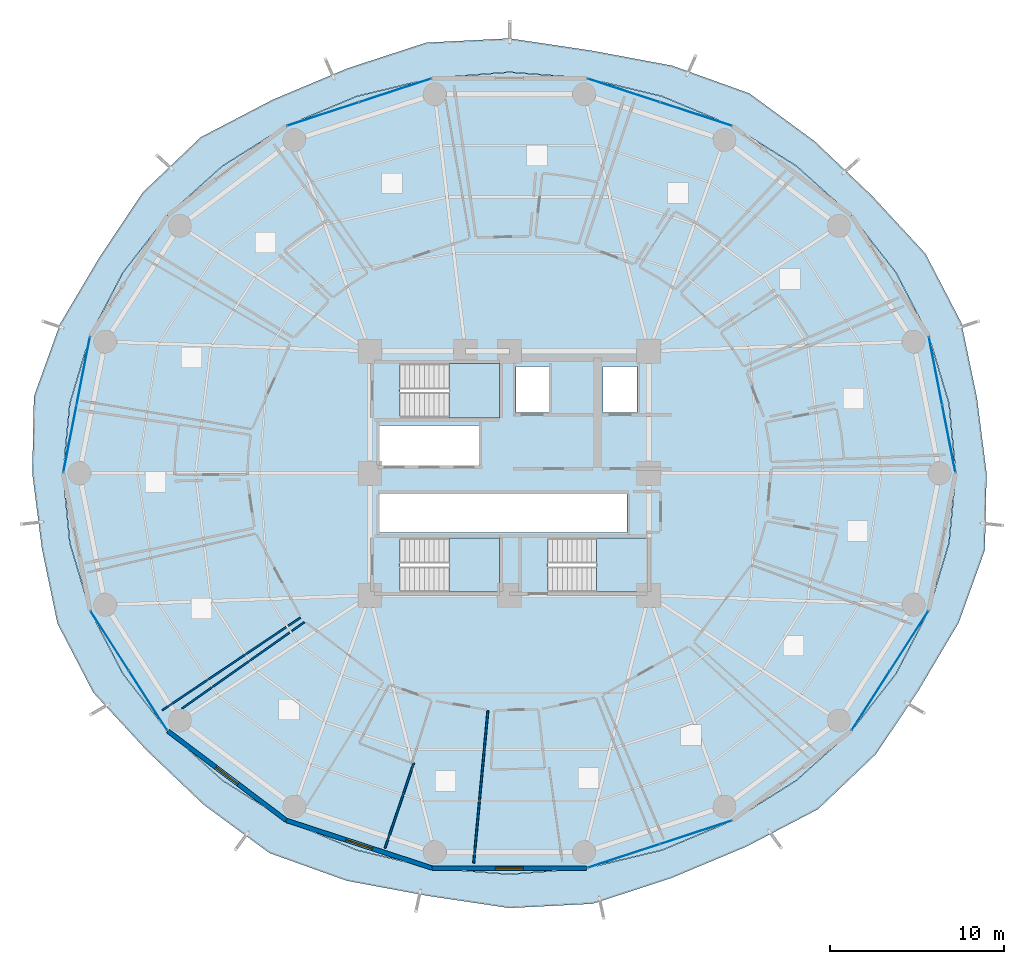
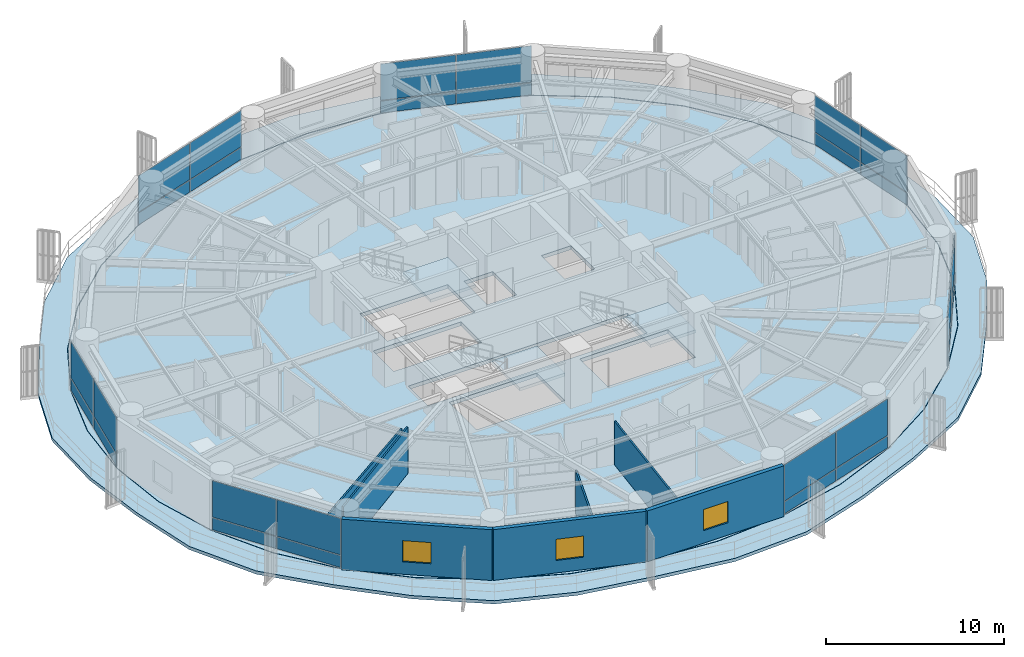
# One storey, part 26 of 35: 28 plates, 7 walls, 5 slabs, 3 windows, 3 openings, 10 elements without a shape of their own.
"""IFC4 building model written with IfcOpenShell, lengths in metres."""

from ifc_helpers import new_model, si_unit, direction, frame, frame_2d, origin, origin_2d, place, context, subcontext, project, spatial, polyline, rectangle, outline, extrude, source, transform, mapped, material, layer, layer_set, type_object, element, fill, aggregate, save


model = new_model("IFC4")

# Units and contexts
model_context = context("Model", 3, precision=1e-05, world=origin(), true_north=direction((0.0, 1.0)))
body_context = subcontext(model_context, "Body", "Model", "MODEL_VIEW")
ifc_project = project(units=[si_unit("LENGTHUNIT", "METRE"), si_unit("AREAUNIT", "SQUARE_METRE"), si_unit("VOLUMEUNIT", "CUBIC_METRE"), si_unit("PLANEANGLEUNIT", "RADIAN"), si_unit("MASSUNIT", "GRAM", prefix="KILO")], contexts=[model_context])

# Site, building, storey
site_placement = place(None, origin())
site = spatial("IfcSite", under=ifc_project, at=site_placement, CompositionType="ELEMENT")
building_placement = place(site_placement, origin())
building = spatial("IfcBuilding", under=site, at=building_placement, Name="Kelanora Arch Commons", CompositionType="ELEMENT")
storey_placement = place(building_placement, frame((0.0, 0.0, 87.60009765625)))
storey = spatial("IfcBuildingStorey", under=building, at=storey_placement, Name="L22", CompositionType="ELEMENT", Elevation=87.60009765625)

# Stair, slab
ifc_material_1 = material(Name="Concrete C40/50", Category="concrete")
stair_type = type_object("IfcStairType", Name="STR-DL-375", PredefinedType="HALF_TURN_STAIR", material=ifc_material_1)
stair_1_placement = place(storey_placement, origin())
stair_1 = element("IfcStair", 1, at=stair_1_placement, inside=storey, type_object=stair_type, Name="L22 ST-T1", PredefinedType="HALF_TURN_STAIR")
ifc_layer_1 = layer(ifc_material_1, 0.199951171875)
ifc_layer_set_1 = layer_set([ifc_layer_1], Name="Concrete C40/50")
slab_type_1 = type_object("IfcSlabType", Name="SLB-STAIR-LND", PredefinedType="LANDING", material=ifc_layer_set_1)
slab_1_placement = place(storey_placement, frame((0.0, 0.0, 1.6748046875)))
slab_1 = element("IfcSlab", 2, at=slab_1_placement, type_object=slab_type_1, Name="ST-T1 landing 1", PredefinedType="LANDING", context=body_context, shape_type="SweptSolid", body=[
    extrude(outline(polyline([(70.52001953125, 61.179931640625), (73.43994140625, 61.179931640625), (73.43994140625, 64.2900390625), (70.52001953125, 64.2900390625), (70.52001953125, 61.179931640625)])), origin(), (0.0, 0.0, 1.0), 0.2001953125),
])
aggregate(stair_1, [slab_1])

stair_2_placement = place(storey_placement, origin())
stair_2 = element("IfcStair", 3, at=stair_2_placement, inside=storey, type_object=stair_type, Name="L22 ST-T2", PredefinedType="HALF_TURN_STAIR")
slab_2_placement = place(storey_placement, frame((0.0, 0.0, 1.6748046875)))
slab_2 = element("IfcSlab", 4, at=slab_2_placement, type_object=slab_type_1, Name="ST-T2 landing 1", PredefinedType="LANDING", context=body_context, shape_type="SweptSolid", body=[
    extrude(outline(polyline([(79.0, 51.179931640625), (81.919921875, 51.179931640625), (81.919921875, 54.2900390625), (79.0, 54.2900390625), (79.0, 51.179931640625)])), origin(), (0.0, 0.0, 1.0), 0.2001953125),
])
aggregate(stair_2, [slab_2])

stair_3_placement = place(storey_placement, origin())
stair_3 = element("IfcStair", 5, at=stair_3_placement, inside=storey, type_object=stair_type, Name="L22 ST-T3", PredefinedType="HALF_TURN_STAIR")
slab_3_placement = place(storey_placement, frame((0.0, 0.0, 1.6748046875)))
slab_3 = element("IfcSlab", 6, at=slab_3_placement, type_object=slab_type_1, Name="ST-T3 landing 1", PredefinedType="LANDING", context=body_context, shape_type="SweptSolid", body=[
    extrude(outline(polyline([(70.52001953125, 51.179931640625), (73.43994140625, 51.179931640625), (73.43994140625, 54.2900390625), (70.52001953125, 54.2900390625), (70.52001953125, 51.179931640625)])), origin(), (0.0, 0.0, 1.0), 0.2001953125),
])
aggregate(stair_3, [slab_3])

# Slabs
ifc_layer_2 = layer(ifc_material_1, 0.260009765625)
ifc_layer_set_2 = layer_set([ifc_layer_2], Name="Concrete C40/50")
slab_type_2 = type_object("IfcSlabType", Name="SLB-TWR-TYP", PredefinedType="FLOOR", material=ifc_layer_set_2)
slab_4_placement = place(storey_placement, frame((0.0, 0.0, -0.260009765625)))
element("IfcSlab", 7, at=slab_4_placement, inside=storey, type_object=slab_type_2, Name="Tower Floor Slab L22", PredefinedType="FLOOR", context=body_context, shape_type="SweptSolid", body=[
    extrude(outline(polyline([(99.60009765625, 58.0), (99.211181640625, 61.993896484375), (98.05615234375, 65.866455078125), (96.17041015625, 69.5), (93.610595703125, 72.7841796875), (90.455322265625, 75.618896484375), (86.800048828125, 77.918701171875), (82.755615234375, 79.61279296875), (78.4453125, 80.650634765625), (74.0, 81.0), (69.5546875, 80.650634765625), (65.244384765625, 79.61279296875), (61.199951171875, 77.918701171875), (57.544677734375, 75.618896484375), (54.389404296875, 72.7841796875), (51.82958984375, 69.5), (49.94384765625, 65.866455078125), (48.788818359375, 61.993896484375), (48.39990234375, 58.0), (48.788818359375, 54.006103515625), (49.94384765625, 50.133544921875), (51.82958984375, 46.5), (54.389404296875, 43.2158203125), (57.544677734375, 40.381103515625), (61.199951171875, 38.081298828125), (65.244384765625, 36.38720703125), (69.5546875, 35.349365234375), (74.0, 35.0), (78.4453125, 35.349365234375), (82.755615234375, 36.38720703125), (86.800048828125, 38.081298828125), (90.455322265625, 40.381103515625), (93.610595703125, 43.2158203125), (96.17041015625, 46.5), (98.05615234375, 50.133544921875), (99.211181640625, 54.006103515625), (99.60009765625, 58.0)]), holes=[polyline([(73.431884765625, 51.18798828125), (67.72802734375, 51.18798828125), (67.72802734375, 54.281982421875), (73.431884765625, 54.281982421875), (73.431884765625, 51.18798828125)]), polyline([(76.2080078125, 51.18798828125), (76.2080078125, 54.281982421875), (81.912109375, 54.281982421875), (81.912109375, 51.18798828125), (76.2080078125, 51.18798828125)]), polyline([(66.550048828125, 54.60009765625), (66.550048828125, 56.800048828125), (80.75, 56.800048828125), (80.75, 54.60009765625), (66.550048828125, 54.60009765625)]), polyline([(66.550048828125, 58.449951171875), (66.550048828125, 60.75), (72.25, 60.75), (72.25, 58.449951171875), (66.550048828125, 58.449951171875)]), polyline([(67.72802734375, 61.18798828125), (67.72802734375, 64.281982421875), (73.431884765625, 64.281982421875), (73.431884765625, 61.18798828125), (67.72802734375, 61.18798828125)]), polyline([(74.3798828125, 61.47998046875), (74.3798828125, 64.1201171875), (76.260009765625, 64.1201171875), (76.260009765625, 61.47998046875), (74.3798828125, 61.47998046875)]), polyline([(79.3798828125, 61.47998046875), (79.3798828125, 64.1201171875), (81.320068359375, 64.1201171875), (81.320068359375, 61.47998046875), (79.3798828125, 61.47998046875)])]), origin(), (0.0, 0.0, 1.0), 0.260009765625),
])
ifc_layer_3 = layer(ifc_material_1, 0.219970703125)
ifc_layer_set_3 = layer_set([ifc_layer_3], Name="Concrete C40/50")
slab_type_3 = type_object("IfcSlabType", Name="SLB-WAVE-BAL", PredefinedType="FLOOR", material=ifc_layer_set_3)
slab_5_placement = place(storey_placement, frame((0.0, 0.0, -0.22021484375)))
element("IfcSlab", 8, at=slab_5_placement, inside=storey, type_object=slab_type_3, Name="Sinusoidal Wave Balcony Slab L22", PredefinedType="FLOOR", context=body_context, shape_type="SweptSolid", body=[
    extrude(outline(polyline([(101.375244140625, 58.0), (100.82470703125, 62.310546875), (99.9296875, 66.62548828125), (97.870849609375, 70.5927734375), (94.8125, 73.906494140625), (91.52392578125, 77.03662109375), (87.770263671875, 79.788818359375), (83.333984375, 81.381591796875), (78.697998046875, 82.245361328125), (74.0, 82.9462890625), (69.2294921875, 82.702392578125), (64.7158203125, 81.228759765625), (60.417236328125, 79.427734375), (56.294189453125, 77.277587890625), (52.966796875, 74.112548828125), (50.471435546875, 70.372802734375), (48.21923828125, 66.565185546875), (46.721435546875, 62.399658203125), (46.624755859375, 58.0), (47.17529296875, 53.689453125), (48.0703125, 49.37451171875), (50.129150390625, 45.4072265625), (53.1875, 42.093505859375), (56.47607421875, 38.96337890625), (60.229736328125, 36.211181640625), (64.666015625, 34.618408203125), (69.302001953125, 33.754638671875), (74.0, 33.0537109375), (78.7705078125, 33.297607421875), (83.2841796875, 34.771240234375), (87.582763671875, 36.572265625), (91.705810546875, 38.722412109375), (95.033203125, 41.887451171875), (97.528564453125, 45.627197265625), (99.78076171875, 49.434814453125), (101.278564453125, 53.600341796875), (101.375244140625, 58.0)]), holes=[polyline([(99.230712890625, 54.002685546875), (98.074951171875, 50.126708984375), (96.1875, 46.489990234375), (93.626220703125, 43.202880859375), (90.46826171875, 40.36572265625), (86.81005859375, 38.064208984375), (82.7626953125, 36.368408203125), (78.448974609375, 35.32958984375), (74.0, 34.97998046875), (69.551025390625, 35.32958984375), (65.2373046875, 36.368408203125), (61.18994140625, 38.064208984375), (57.53173828125, 40.36572265625), (54.373779296875, 43.202880859375), (51.8125, 46.489990234375), (49.925048828125, 50.126708984375), (48.769287109375, 54.002685546875), (48.3798828125, 58.0), (48.769287109375, 61.997314453125), (49.925048828125, 65.873291015625), (51.8125, 69.510009765625), (54.373779296875, 72.797119140625), (57.53173828125, 75.63427734375), (61.18994140625, 77.935791015625), (65.2373046875, 79.631591796875), (69.551025390625, 80.67041015625), (74.0, 81.02001953125), (78.448974609375, 80.67041015625), (82.7626953125, 79.631591796875), (86.81005859375, 77.935791015625), (90.46826171875, 75.63427734375), (93.626220703125, 72.797119140625), (96.1875, 69.510009765625), (98.074951171875, 65.873291015625), (99.230712890625, 61.997314453125), (99.6201171875, 58.0), (99.230712890625, 54.002685546875)])]), origin(), (0.0, 0.0, 1.0), 0.22021484375),
])

# Curtain wall, plates
ifc_material_2 = material(Name="Terracotta ceramic-fritted low-E glass and aluminium", Category="masonry")
ifc_layer_4 = layer(ifc_material_2, 0.159912109375)
ifc_layer_set_4 = layer_set([ifc_layer_4], Name="Terracotta ceramic-fritted low-E glass and aluminium")
curtain_wall_type = type_object("IfcCurtainWallType", Name="CW-SYS-01", PredefinedType="NOTDEFINED", material=ifc_layer_set_4)
curtain_wall_1_placement = place(storey_placement, origin())
curtain_wall_1 = element("IfcCurtainWall", 9, at=curtain_wall_1_placement, inside=storey, type_object=curtain_wall_type, Name="Unitised Curtain Wall L22-B00", PredefinedType="NOTDEFINED")
ifc_material_3 = material(Name="Terracotta ceramic-fritted double glazing", Category="masonry")
ifc_layer_5 = layer(ifc_material_3, 0.028076171875)
ifc_layer_set_5 = layer_set([ifc_layer_5], Name="Terracotta ceramic-fritted double glazing")
plate_type = type_object("IfcPlateType", Name="CWP-FRIT", PredefinedType="CURTAIN_PANEL", material=ifc_layer_set_5)
shared_shape_1 = source(origin(), body_context, "Body", "SweptSolid", [
    extrude(rectangle(XDim=3.9033203125, YDim=0.028076171875, at=origin_2d()), origin(), (0.0, 0.0, 1.0), 0.81005859375),
])
plate_1_placement = place(storey_placement, frame((99.209716796875, 59.98876953125, 0.059814453125), z_axis=(0.0, 0.0, 1.0), x_axis=(-0.192584916272, 0.981280311646, 0.0)))
plate_1 = element("IfcPlate", 10, at=plate_1_placement, type_object=plate_type, Name="CW-01 panel 1.1", PredefinedType="CURTAIN_PANEL", context=body_context, shape_type="MappedRepresentation", body=[
    mapped(shared_shape_1, transform((0.0, 0.0, 0.0), scale=1.0)),
])
plate_2_placement = place(storey_placement, frame((98.446533203125, 63.877685546875, 0.059814453125), z_axis=(0.0, 0.0, 1.0), x_axis=(-0.192584916272, 0.981280311646, 0.0)))
plate_2 = element("IfcPlate", 11, at=plate_2_placement, type_object=plate_type, Name="CW-01 panel 2.1", PredefinedType="CURTAIN_PANEL", context=body_context, shape_type="MappedRepresentation", body=[
    mapped(shared_shape_1, transform((0.0, 0.0, 0.0), scale=1.0)),
])

curtain_wall_2_placement = place(storey_placement, origin())
curtain_wall_2 = element("IfcCurtainWall", 12, at=curtain_wall_2_placement, inside=storey, type_object=curtain_wall_type, Name="Unitised Curtain Wall L22-B08", PredefinedType="NOTDEFINED")
plate_3_placement = place(storey_placement, frame((49.553466796875, 63.877685546875, 0.059814453125), z_axis=(0.0, 0.0, 1.0), x_axis=(-0.192584916272, -0.981280311646, 0.0)))
plate_3 = element("IfcPlate", 13, at=plate_3_placement, type_object=plate_type, Name="CW-01 panel 1.1", PredefinedType="CURTAIN_PANEL", context=body_context, shape_type="MappedRepresentation", body=[
    mapped(shared_shape_1, transform((0.0, 0.0, 0.0), scale=1.0)),
])
plate_4_placement = place(storey_placement, frame((48.790283203125, 59.98876953125, 0.059814453125), z_axis=(0.0, 0.0, 1.0), x_axis=(-0.192584916272, -0.981280311646, 0.0)))
plate_4 = element("IfcPlate", 14, at=plate_4_placement, type_object=plate_type, Name="CW-01 panel 2.1", PredefinedType="CURTAIN_PANEL", context=body_context, shape_type="MappedRepresentation", body=[
    mapped(shared_shape_1, transform((0.0, 0.0, 0.0), scale=1.0)),
])

# Plate
shared_shape_2 = source(origin(), body_context, "Body", "SweptSolid", [
    extrude(rectangle(XDim=3.9033203125, YDim=0.028076171875, at=origin_2d()), origin(), (0.0, 0.0, 1.0), 2.485107421875),
])
plate_5_placement = place(storey_placement, frame((99.209716796875, 59.98876953125, 0.9296875), z_axis=(0.0, 0.0, 1.0), x_axis=(-0.192584916272, 0.981280311646, 0.0)))
plate_5 = element("IfcPlate", 15, at=plate_5_placement, type_object=plate_type, Name="CW-01 panel 1.2", PredefinedType="CURTAIN_PANEL", context=body_context, shape_type="MappedRepresentation", body=[
    mapped(shared_shape_2, transform((0.0, 0.0, 0.0), scale=1.0)),
])

plate_6_placement = place(storey_placement, frame((98.446533203125, 63.877685546875, 0.9296875), z_axis=(0.0, 0.0, 1.0), x_axis=(-0.192584916272, 0.981280311646, 0.0)))
plate_6 = element("IfcPlate", 16, at=plate_6_placement, type_object=plate_type, Name="CW-01 panel 2.2", PredefinedType="CURTAIN_PANEL", context=body_context, shape_type="MappedRepresentation", body=[
    mapped(shared_shape_2, transform((0.0, 0.0, 0.0), scale=1.0)),
])

aggregate(curtain_wall_1, [plate_1, plate_5, plate_2, plate_6])

plate_7_placement = place(storey_placement, frame((49.553466796875, 63.877685546875, 0.9296875), z_axis=(0.0, 0.0, 1.0), x_axis=(-0.192584916272, -0.981280311646, 0.0)))
plate_7 = element("IfcPlate", 17, at=plate_7_placement, type_object=plate_type, Name="CW-01 panel 1.2", PredefinedType="CURTAIN_PANEL", context=body_context, shape_type="MappedRepresentation", body=[
    mapped(shared_shape_2, transform((0.0, 0.0, 0.0), scale=1.0)),
])

plate_8_placement = place(storey_placement, frame((48.790283203125, 59.98876953125, 0.9296875), z_axis=(0.0, 0.0, 1.0), x_axis=(-0.192584916272, -0.981280311646, 0.0)))
plate_8 = element("IfcPlate", 18, at=plate_8_placement, type_object=plate_type, Name="CW-01 panel 2.2", PredefinedType="CURTAIN_PANEL", context=body_context, shape_type="MappedRepresentation", body=[
    mapped(shared_shape_2, transform((0.0, 0.0, 0.0), scale=1.0)),
])

aggregate(curtain_wall_2, [plate_3, plate_7, plate_4, plate_8])

# Curtain wall, plates
curtain_wall_3_placement = place(storey_placement, origin())
curtain_wall_3 = element("IfcCurtainWall", 19, at=curtain_wall_3_placement, inside=storey, type_object=curtain_wall_type, Name="Unitised Curtain Wall L22-B03", PredefinedType="NOTDEFINED")
shared_shape_3 = source(origin(), body_context, "Body", "SweptSolid", [
    extrude(rectangle(XDim=4.2900390625, YDim=0.028076171875, at=origin_2d()), origin(), (0.0, 0.0, 1.0), 0.81005859375),
])
plate_9_placement = place(storey_placement, frame((84.68994140625, 78.608642578125, 0.059814453125), z_axis=(0.0, 0.0, 1.0), x_axis=(-0.950473795867, 0.31080470294, 0.0)))
plate_9 = element("IfcPlate", 20, at=plate_9_placement, type_object=plate_type, Name="CW-01 panel 1.1", PredefinedType="CURTAIN_PANEL", context=body_context, shape_type="MappedRepresentation", body=[
    mapped(shared_shape_3, transform((0.0, 0.0, 0.0), scale=1.0)),
])
plate_10_placement = place(storey_placement, frame((80.555419921875, 79.960693359375, 0.059814453125), z_axis=(0.0, 0.0, 1.0), x_axis=(-0.950473795867, 0.31080470294, 0.0)))
plate_10 = element("IfcPlate", 21, at=plate_10_placement, type_object=plate_type, Name="CW-01 panel 2.1", PredefinedType="CURTAIN_PANEL", context=body_context, shape_type="MappedRepresentation", body=[
    mapped(shared_shape_3, transform((0.0, 0.0, 0.0), scale=1.0)),
])

curtain_wall_4_placement = place(storey_placement, origin())
curtain_wall_4 = element("IfcCurtainWall", 22, at=curtain_wall_4_placement, inside=storey, type_object=curtain_wall_type, Name="Unitised Curtain Wall L22-B05", PredefinedType="NOTDEFINED")
plate_11_placement = place(storey_placement, frame((67.444580078125, 79.960693359375, 0.059814453125), z_axis=(0.0, 0.0, 1.0), x_axis=(-0.950473795867, -0.31080470294, 0.0)))
plate_11 = element("IfcPlate", 23, at=plate_11_placement, type_object=plate_type, Name="CW-01 panel 1.1", PredefinedType="CURTAIN_PANEL", context=body_context, shape_type="MappedRepresentation", body=[
    mapped(shared_shape_3, transform((0.0, 0.0, 0.0), scale=1.0)),
])
plate_12_placement = place(storey_placement, frame((63.31005859375, 78.608642578125, 0.059814453125), z_axis=(0.0, 0.0, 1.0), x_axis=(-0.950473795867, -0.31080470294, 0.0)))
plate_12 = element("IfcPlate", 24, at=plate_12_placement, type_object=plate_type, Name="CW-01 panel 2.1", PredefinedType="CURTAIN_PANEL", context=body_context, shape_type="MappedRepresentation", body=[
    mapped(shared_shape_3, transform((0.0, 0.0, 0.0), scale=1.0)),
])

curtain_wall_5_placement = place(storey_placement, origin())
curtain_wall_5 = element("IfcCurtainWall", 25, at=curtain_wall_5_placement, inside=storey, type_object=curtain_wall_type, Name="Unitised Curtain Wall L22-B14", PredefinedType="NOTDEFINED")
plate_13_placement = place(storey_placement, frame((80.555419921875, 36.039306640625, 0.059814453125), z_axis=(0.0, 0.0, 1.0), x_axis=(0.950473795867, 0.31080470294, 0.0)))
plate_13 = element("IfcPlate", 26, at=plate_13_placement, type_object=plate_type, Name="CW-01 panel 1.1", PredefinedType="CURTAIN_PANEL", context=body_context, shape_type="MappedRepresentation", body=[
    mapped(shared_shape_3, transform((0.0, 0.0, 0.0), scale=1.0)),
])
plate_14_placement = place(storey_placement, frame((84.68994140625, 37.391357421875, 0.059814453125), z_axis=(0.0, 0.0, 1.0), x_axis=(0.950473795867, 0.31080470294, 0.0)))
plate_14 = element("IfcPlate", 27, at=plate_14_placement, type_object=plate_type, Name="CW-01 panel 2.1", PredefinedType="CURTAIN_PANEL", context=body_context, shape_type="MappedRepresentation", body=[
    mapped(shared_shape_3, transform((0.0, 0.0, 0.0), scale=1.0)),
])

# Plate
shared_shape_4 = source(origin(), body_context, "Body", "SweptSolid", [
    extrude(rectangle(XDim=4.2900390625, YDim=0.028076171875, at=origin_2d()), origin(), (0.0, 0.0, 1.0), 2.485107421875),
])
plate_15_placement = place(storey_placement, frame((84.68994140625, 78.608642578125, 0.9296875), z_axis=(0.0, 0.0, 1.0), x_axis=(-0.950473795867, 0.31080470294, 0.0)))
plate_15 = element("IfcPlate", 28, at=plate_15_placement, type_object=plate_type, Name="CW-01 panel 1.2", PredefinedType="CURTAIN_PANEL", context=body_context, shape_type="MappedRepresentation", body=[
    mapped(shared_shape_4, transform((0.0, 0.0, 0.0), scale=1.0)),
])

plate_16_placement = place(storey_placement, frame((80.555419921875, 79.960693359375, 0.9296875), z_axis=(0.0, 0.0, 1.0), x_axis=(-0.950473795867, 0.31080470294, 0.0)))
plate_16 = element("IfcPlate", 29, at=plate_16_placement, type_object=plate_type, Name="CW-01 panel 2.2", PredefinedType="CURTAIN_PANEL", context=body_context, shape_type="MappedRepresentation", body=[
    mapped(shared_shape_4, transform((0.0, 0.0, 0.0), scale=1.0)),
])

aggregate(curtain_wall_3, [plate_9, plate_15, plate_10, plate_16])

plate_17_placement = place(storey_placement, frame((67.444580078125, 79.960693359375, 0.9296875), z_axis=(0.0, 0.0, 1.0), x_axis=(-0.950473795867, -0.31080470294, 0.0)))
plate_17 = element("IfcPlate", 30, at=plate_17_placement, type_object=plate_type, Name="CW-01 panel 1.2", PredefinedType="CURTAIN_PANEL", context=body_context, shape_type="MappedRepresentation", body=[
    mapped(shared_shape_4, transform((0.0, 0.0, 0.0), scale=1.0)),
])

plate_18_placement = place(storey_placement, frame((63.31005859375, 78.608642578125, 0.9296875), z_axis=(0.0, 0.0, 1.0), x_axis=(-0.950473795867, -0.31080470294, 0.0)))
plate_18 = element("IfcPlate", 31, at=plate_18_placement, type_object=plate_type, Name="CW-01 panel 2.2", PredefinedType="CURTAIN_PANEL", context=body_context, shape_type="MappedRepresentation", body=[
    mapped(shared_shape_4, transform((0.0, 0.0, 0.0), scale=1.0)),
])

aggregate(curtain_wall_4, [plate_11, plate_17, plate_12, plate_18])

plate_19_placement = place(storey_placement, frame((80.555419921875, 36.039306640625, 0.9296875), z_axis=(0.0, 0.0, 1.0), x_axis=(0.950473795867, 0.31080470294, 0.0)))
plate_19 = element("IfcPlate", 32, at=plate_19_placement, type_object=plate_type, Name="CW-01 panel 1.2", PredefinedType="CURTAIN_PANEL", context=body_context, shape_type="MappedRepresentation", body=[
    mapped(shared_shape_4, transform((0.0, 0.0, 0.0), scale=1.0)),
])

plate_20_placement = place(storey_placement, frame((84.68994140625, 37.391357421875, 0.9296875), z_axis=(0.0, 0.0, 1.0), x_axis=(0.950473795867, 0.31080470294, 0.0)))
plate_20 = element("IfcPlate", 33, at=plate_20_placement, type_object=plate_type, Name="CW-01 panel 2.2", PredefinedType="CURTAIN_PANEL", context=body_context, shape_type="MappedRepresentation", body=[
    mapped(shared_shape_4, transform((0.0, 0.0, 0.0), scale=1.0)),
])

aggregate(curtain_wall_5, [plate_13, plate_19, plate_14, plate_20])

# Curtain wall, plates
curtain_wall_6_placement = place(storey_placement, origin())
curtain_wall_6 = element("IfcCurtainWall", 34, at=curtain_wall_6_placement, inside=storey, type_object=curtain_wall_type, Name="Unitised Curtain Wall L22-B10", PredefinedType="NOTDEFINED")
shared_shape_5 = source(origin(), body_context, "Body", "SweptSolid", [
    extrude(rectangle(XDim=4.00634765625, YDim=0.028076171875, at=origin_2d()), origin(), (0.0, 0.0, 1.0), 0.81005859375),
])
plate_21_placement = place(storey_placement, frame((51.0673828125, 48.38525390625, 0.059814453125), z_axis=(0.0, 0.0, 1.0), x_axis=(0.540616931244, -0.841268883088, 0.0)))
plate_21 = element("IfcPlate", 35, at=plate_21_placement, type_object=plate_type, Name="CW-01 panel 1.1", PredefinedType="CURTAIN_PANEL", context=body_context, shape_type="MappedRepresentation", body=[
    mapped(shared_shape_5, transform((0.0, 0.0, 0.0), scale=1.0)),
])
plate_22_placement = place(storey_placement, frame((53.265869140625, 44.964111328125, 0.059814453125), z_axis=(0.0, 0.0, 1.0), x_axis=(0.540616931244, -0.841268883088, 0.0)))
plate_22 = element("IfcPlate", 36, at=plate_22_placement, type_object=plate_type, Name="CW-01 panel 2.1", PredefinedType="CURTAIN_PANEL", context=body_context, shape_type="MappedRepresentation", body=[
    mapped(shared_shape_5, transform((0.0, 0.0, 0.0), scale=1.0)),
])

curtain_wall_7_placement = place(storey_placement, origin())
curtain_wall_7 = element("IfcCurtainWall", 37, at=curtain_wall_7_placement, inside=storey, type_object=curtain_wall_type, Name="Unitised Curtain Wall L22-B16", PredefinedType="NOTDEFINED")
plate_23_placement = place(storey_placement, frame((94.734130859375, 44.964111328125, 0.059814453125), z_axis=(0.0, 0.0, 1.0), x_axis=(0.540616931244, 0.841268883088, 0.0)))
plate_23 = element("IfcPlate", 38, at=plate_23_placement, type_object=plate_type, Name="CW-01 panel 1.1", PredefinedType="CURTAIN_PANEL", context=body_context, shape_type="MappedRepresentation", body=[
    mapped(shared_shape_5, transform((0.0, 0.0, 0.0), scale=1.0)),
])
plate_24_placement = place(storey_placement, frame((96.9326171875, 48.38525390625, 0.059814453125), z_axis=(0.0, 0.0, 1.0), x_axis=(0.540616931244, 0.841268883088, 0.0)))
plate_24 = element("IfcPlate", 39, at=plate_24_placement, type_object=plate_type, Name="CW-01 panel 2.1", PredefinedType="CURTAIN_PANEL", context=body_context, shape_type="MappedRepresentation", body=[
    mapped(shared_shape_5, transform((0.0, 0.0, 0.0), scale=1.0)),
])

# Plate
shared_shape_6 = source(origin(), body_context, "Body", "SweptSolid", [
    extrude(rectangle(XDim=4.00634765625, YDim=0.028076171875, at=origin_2d()), origin(), (0.0, 0.0, 1.0), 2.485107421875),
])
plate_25_placement = place(storey_placement, frame((51.0673828125, 48.38525390625, 0.9296875), z_axis=(0.0, 0.0, 1.0), x_axis=(0.540616931244, -0.841268883088, 0.0)))
plate_25 = element("IfcPlate", 40, at=plate_25_placement, type_object=plate_type, Name="CW-01 panel 1.2", PredefinedType="CURTAIN_PANEL", context=body_context, shape_type="MappedRepresentation", body=[
    mapped(shared_shape_6, transform((0.0, 0.0, 0.0), scale=1.0)),
])

plate_26_placement = place(storey_placement, frame((53.265869140625, 44.964111328125, 0.9296875), z_axis=(0.0, 0.0, 1.0), x_axis=(0.540616931244, -0.841268883088, 0.0)))
plate_26 = element("IfcPlate", 41, at=plate_26_placement, type_object=plate_type, Name="CW-01 panel 2.2", PredefinedType="CURTAIN_PANEL", context=body_context, shape_type="MappedRepresentation", body=[
    mapped(shared_shape_6, transform((0.0, 0.0, 0.0), scale=1.0)),
])

aggregate(curtain_wall_6, [plate_21, plate_25, plate_22, plate_26])

plate_27_placement = place(storey_placement, frame((94.734130859375, 44.964111328125, 0.9296875), z_axis=(0.0, 0.0, 1.0), x_axis=(0.540616931244, 0.841268883088, 0.0)))
plate_27 = element("IfcPlate", 42, at=plate_27_placement, type_object=plate_type, Name="CW-01 panel 1.2", PredefinedType="CURTAIN_PANEL", context=body_context, shape_type="MappedRepresentation", body=[
    mapped(shared_shape_6, transform((0.0, 0.0, 0.0), scale=1.0)),
])

plate_28_placement = place(storey_placement, frame((96.9326171875, 48.38525390625, 0.9296875), z_axis=(0.0, 0.0, 1.0), x_axis=(0.540616931244, 0.841268883088, 0.0)))
plate_28 = element("IfcPlate", 43, at=plate_28_placement, type_object=plate_type, Name="CW-01 panel 2.2", PredefinedType="CURTAIN_PANEL", context=body_context, shape_type="MappedRepresentation", body=[
    mapped(shared_shape_6, transform((0.0, 0.0, 0.0), scale=1.0)),
])

aggregate(curtain_wall_7, [plate_23, plate_27, plate_24, plate_28])

# Wall, opening, window
ifc_material_4 = material(Name="Precast concrete C40/50 with terracotta rainscreen", Category="masonry")
ifc_layer_6 = layer(ifc_material_4, 0.260009765625)
ifc_layer_set_6 = layer_set([ifc_layer_6], Name="Precast concrete C40/50 with terracotta rainscreen")
wall_type_1 = type_object("IfcWallType", Name="W-EXT-TC", PredefinedType="SOLIDWALL", material=ifc_layer_set_6)
wall_1_placement = place(storey_placement, frame((54.4013671875, 43.206787109375, 0.0), z_axis=(0.0, 0.0, 1.0), x_axis=(0.798501507879, -0.601992808857, 0.0)))
wall_1 = element("IfcWall", 44, at=wall_1_placement, inside=storey, type_object=wall_type_1, Name="Terracotta Exterior Wall L22-B11", PredefinedType="SOLIDWALL", context=body_context, shape_type="SweptSolid", body=[
    extrude(rectangle(XDim=8.499267578125, YDim=0.260009765625, at=frame_2d((4.24951171875, 0.0))), origin(), (0.0, 0.0, 1.0), 3.474853515625),
])
opening_1_placement = place(wall_1_placement, frame((3.449951171875, 0.0, 0.85009765625)))
opening_1 = element("IfcOpeningElement", 45, at=opening_1_placement, cuts=wall_1, Name="Opening WN-01", PredefinedType="OPENING", context=body_context, shape_type="SweptSolid", body=[
    extrude(rectangle(XDim=1.60009765625, YDim=1.449951171875, at=frame_2d((0.800048828125, 0.72509765625))), frame((0.0, 0.14013671875, 0.0), z_axis=(0.0, -1.0, 0.0), x_axis=(1.0, 0.0, 0.0)), (0.0, 0.0, 1.0), 0.280029296875),
])
ifc_material_5 = material(Name="Terracotta-anodised aluminium frame with operable low-E glazing", Category="masonry")
window_type = type_object("IfcWindowType", Name="WIN-CL-18", PartitioningType="DOUBLE_PANEL_VERTICAL", PredefinedType="WINDOW", material=ifc_material_5)
window_1_placement = place(opening_1_placement, origin())
window_1 = element("IfcWindow", 46, at=window_1_placement, inside=storey, type_object=window_type, Name="Co-Living Operable Window L22-B11", OverallHeight=1.449951171875, OverallWidth=1.60009765625, PartitioningType="SINGLE_PANEL", PredefinedType="WINDOW", context=body_context, shape_type="SweptSolid", body=[
    extrude(rectangle(XDim=1.60009765625, YDim=1.449951171875, at=frame_2d((0.800048828125, 0.72509765625))), frame((0.0, 0.030029296875, 0.0), z_axis=(0.0, -1.0, 0.0), x_axis=(1.0, 0.0, 0.0)), (0.0, 0.0, 1.0), 0.06005859375),
])
fill(opening_1, window_1)

wall_2_placement = place(storey_placement, frame((61.21435546875, 38.07666015625, 0.0), z_axis=(0.0, 0.0, 1.0), x_axis=(0.950471101963, -0.310812941064, 0.0)))
wall_2 = element("IfcWall", 47, at=wall_2_placement, inside=storey, type_object=wall_type_1, Name="Terracotta Exterior Wall L22-B12", PredefinedType="SOLIDWALL", context=body_context, shape_type="SweptSolid", body=[
    extrude(rectangle(XDim=8.759765625, YDim=0.260009765625, at=frame_2d((4.3798828125, 0.0))), origin(), (0.0, 0.0, 1.0), 3.474853515625),
])
opening_2_placement = place(wall_2_placement, frame((3.580078125, 0.0, 0.85009765625)))
opening_2 = element("IfcOpeningElement", 48, at=opening_2_placement, cuts=wall_2, Name="Opening WN-01", PredefinedType="OPENING", context=body_context, shape_type="SweptSolid", body=[
    extrude(rectangle(XDim=1.60009765625, YDim=1.449951171875, at=frame_2d((0.800048828125, 0.72509765625))), frame((0.0, 0.14013671875, 0.0), z_axis=(0.0, -1.0, 0.0), x_axis=(1.0, 0.0, 0.0)), (0.0, 0.0, 1.0), 0.280029296875),
])
window_2_placement = place(opening_2_placement, origin())
window_2 = element("IfcWindow", 49, at=window_2_placement, inside=storey, type_object=window_type, Name="Co-Living Operable Window L22-B12", OverallHeight=1.449951171875, OverallWidth=1.60009765625, PartitioningType="SINGLE_PANEL", PredefinedType="WINDOW", context=body_context, shape_type="SweptSolid", body=[
    extrude(rectangle(XDim=1.60009765625, YDim=1.449951171875, at=frame_2d((0.800048828125, 0.72509765625))), frame((0.0, 0.030029296875, 0.0), z_axis=(0.0, -1.0, 0.0), x_axis=(1.0, 0.0, 0.0)), (0.0, 0.0, 1.0), 0.06005859375),
])
fill(opening_2, window_2)

wall_3_placement = place(storey_placement, frame((69.569580078125, 35.349365234375, 0.0), z_axis=(0.0, 0.0, 1.0), x_axis=(1.0, 0.0, 0.0)))
wall_3 = element("IfcWall", 50, at=wall_3_placement, inside=storey, type_object=wall_type_1, Name="Terracotta Exterior Wall L22-B13", PredefinedType="SOLIDWALL", context=body_context, shape_type="SweptSolid", body=[
    extrude(rectangle(XDim=8.86083984375, YDim=0.260009765625, at=frame_2d((4.430419921875, 0.0))), origin(), (0.0, 0.0, 1.0), 3.474853515625),
])
opening_3_placement = place(wall_3_placement, frame((3.6298828125, 0.0, 0.85009765625)))
opening_3 = element("IfcOpeningElement", 51, at=opening_3_placement, cuts=wall_3, Name="Opening WN-01", PredefinedType="OPENING", context=body_context, shape_type="SweptSolid", body=[
    extrude(rectangle(XDim=1.60009765625, YDim=1.449951171875, at=frame_2d((0.800048828125, 0.72509765625))), frame((0.0, 0.14013671875, 0.0), z_axis=(0.0, -1.0, 0.0), x_axis=(1.0, 0.0, 0.0)), (0.0, 0.0, 1.0), 0.280029296875),
])
window_3_placement = place(opening_3_placement, origin())
window_3 = element("IfcWindow", 52, at=window_3_placement, inside=storey, type_object=window_type, Name="Co-Living Operable Window L22-B13", OverallHeight=1.449951171875, OverallWidth=1.60009765625, PartitioningType="SINGLE_PANEL", PredefinedType="WINDOW", context=body_context, shape_type="SweptSolid", body=[
    extrude(rectangle(XDim=1.60009765625, YDim=1.449951171875, at=frame_2d((0.800048828125, 0.72509765625))), frame((0.0, 0.030029296875, 0.0), z_axis=(0.0, -1.0, 0.0), x_axis=(1.0, 0.0, 0.0)), (0.0, 0.0, 1.0), 0.06005859375),
])
fill(opening_3, window_3)

# Walls
ifc_material_6 = material(Name="Lightweight fire-rated acoustic stud partition")
ifc_layer_7 = layer(ifc_material_6, 0.10009765625)
ifc_layer_set_7 = layer_set([ifc_layer_7], Name="Lightweight fire-rated acoustic stud partition")
wall_type_2 = type_object("IfcWallType", Name="W-PART-100", PredefinedType="PARTITIONING", material=ifc_layer_set_7)
wall_4_placement = place(storey_placement, frame((62.0107421875, 49.7177734375, 0.0), z_axis=(0.0, 0.0, 1.0), x_axis=(-0.830433607217, -0.557117603388, 0.0)))
element("IfcWall", 53, at=wall_4_placement, inside=storey, type_object=wall_type_2, Name="Quiet Seminar Study Room L22-08 Enclosure Partition 2", PredefinedType="PARTITIONING", context=body_context, shape_type="SweptSolid", body=[
    extrude(rectangle(XDim=9.546142578125, YDim=0.10009765625, at=frame_2d((4.77294921875, 0.0))), origin(), (0.0, 0.0, 1.0), 2.974853515625),
])
wall_5_placement = place(storey_placement, frame((55.210205078125, 44.49755859375, 0.0), z_axis=(0.0, 0.0, 1.0), x_axis=(0.817133838915, 0.576447993578, 0.0)))
element("IfcWall", 54, at=wall_5_placement, inside=storey, type_object=wall_type_2, Name="Communal Dining and Social Hall L22-09 Enclosure Partition 4", PredefinedType="PARTITIONING", context=body_context, shape_type="SweptSolid", body=[
    extrude(rectangle(XDim=8.599609375, YDim=0.10009765625, at=frame_2d((4.2998046875, 0.0))), origin(), (0.0, 0.0, 1.0), 3.1748046875),
])
wall_6_placement = place(storey_placement, frame((72.764404296875, 44.376220703125, 0.0), z_axis=(0.0, 0.0, 1.0), x_axis=(-0.092917687898, -0.995673793607, 0.0)))
element("IfcWall", 55, at=wall_6_placement, inside=storey, type_object=wall_type_2, Name="Quiet Reading Carrel L22-10 Enclosure Partition 2", PredefinedType="PARTITIONING", context=body_context, shape_type="SweptSolid", body=[
    extrude(rectangle(XDim=8.778564453125, YDim=0.10009765625, at=frame_2d((4.38916015625, 0.0))), origin(), (0.0, 0.0, 1.0), 2.974853515625),
])
wall_7_placement = place(storey_placement, frame((66.86669921875, 36.489990234375, 0.0), z_axis=(0.0, 0.0, 1.0), x_axis=(0.319911741109, 0.947447348353, 0.0)))
element("IfcWall", 56, at=wall_7_placement, inside=storey, type_object=wall_type_2, Name="Quiet Reading Carrel L22-10 Enclosure Partition 4", PredefinedType="PARTITIONING", context=body_context, shape_type="SweptSolid", body=[
    extrude(rectangle(XDim=5.14599609375, YDim=0.10009765625, at=frame_2d((2.572998046875, 0.0))), origin(), (0.0, 0.0, 1.0), 2.9248046875),
])

save(model, "model.ifc")
